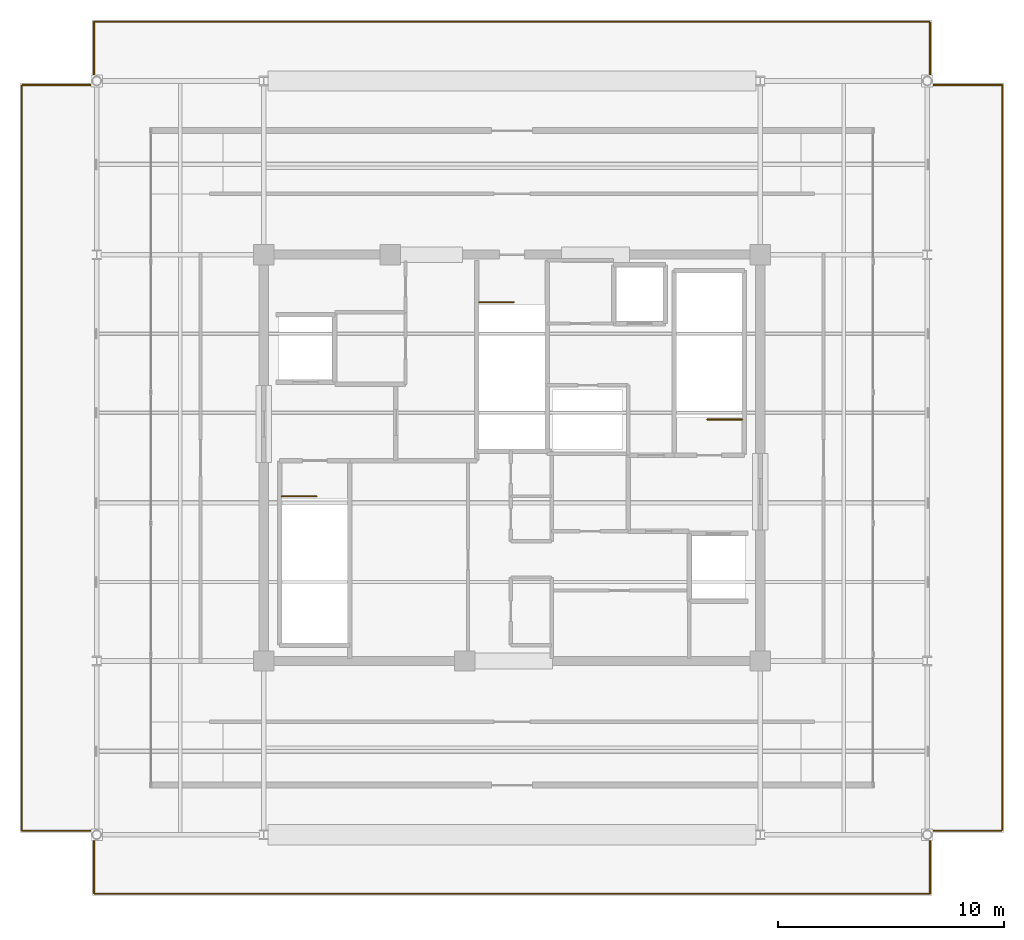
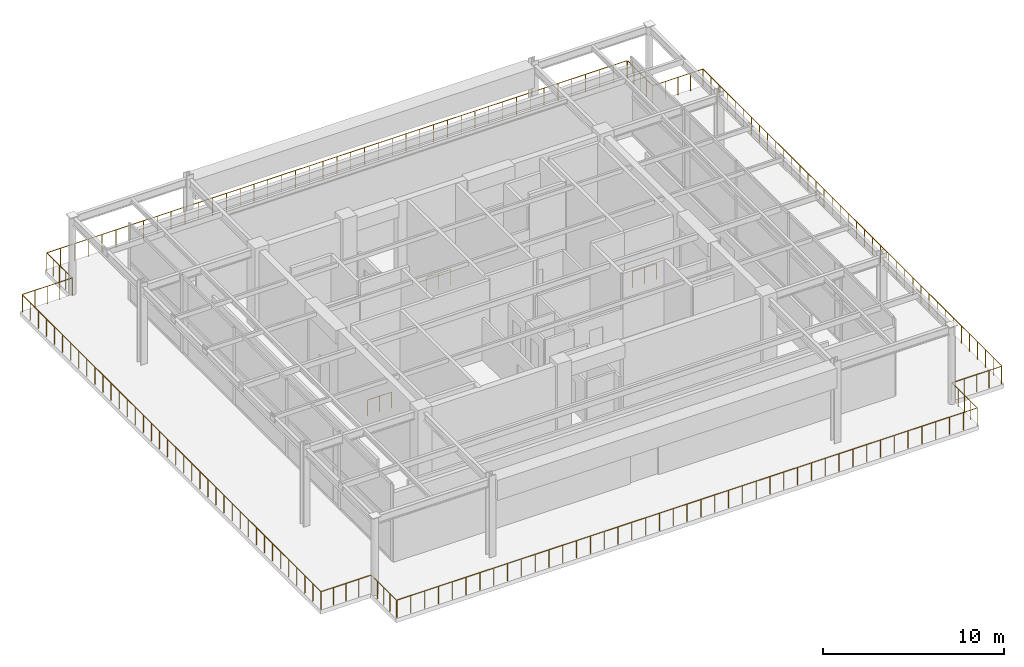
# One storey, part 16 of 16: 7 railings.
"""IFC4 building model written with IfcOpenShell, lengths in metres."""

from ifc_helpers import new_model, si_unit, direction, frame, origin, origin_2d, place, context, subcontext, project, spatial, circle, extrude, material, type_object, element, save


model = new_model("IFC4")

# Units and contexts
model_context = context("Model", 3, precision=1e-05, world=origin(), true_north=direction((0.0, 1.0)))
body_context = subcontext(model_context, "Body", "Model", "MODEL_VIEW")
ifc_project = project(units=[si_unit("LENGTHUNIT", "METRE"), si_unit("AREAUNIT", "SQUARE_METRE"), si_unit("VOLUMEUNIT", "CUBIC_METRE"), si_unit("PLANEANGLEUNIT", "RADIAN"), si_unit("MASSUNIT", "GRAM", prefix="KILO")], contexts=[model_context])

# Site, building, storey
site_placement = place(None, origin())
site = spatial("IfcSite", under=ifc_project, at=site_placement, CompositionType="ELEMENT")
building_placement = place(site_placement, origin())
building = spatial("IfcBuilding", under=site, at=building_placement, Name="Kovane Verandah Tower", CompositionType="ELEMENT")
storey_placement = place(building_placement, frame((0.0, 0.0, 354.300048828125)))
storey = spatial("IfcBuildingStorey", under=building, at=storey_placement, Name="L82", CompositionType="ELEMENT", Elevation=354.300048828125)

# Railings
ifc_material_1 = material(Name="Pale-Champagne Stainless Steel and Glass Perimeter Guard", Category="steel")
railing_type_1 = type_object("IfcRailingType", Name="RL-GDN-1200", PredefinedType="GUARDRAIL", material=ifc_material_1)
railing_1_placement = place(storey_placement, frame((21.510009765625, 8.179931640625, 0.0)))
element("IfcRailing", 1, at=railing_1_placement, inside=storey, type_object=railing_type_1, Name="L82 Open Observation Deck Perimeter Balustrade S", PredefinedType="GUARDRAIL", context=body_context, shape_type="SweptSolid", body=[
    extrude(circle(Radius=0.02392578125, at=origin_2d()), frame((0.0, 0.0, 1.17578125), z_axis=(1.0, 0.0, 0.0), x_axis=(0.0, 1.0, 0.0)), (0.0, 0.0, 1.0), 37.010009765625),
    extrude(circle(Radius=0.02392578125, at=origin_2d()), frame((37.010009765625, 0.0, 1.17578125), z_axis=(0.0, 1.0, 0.0), x_axis=(-1.0, 0.0, 0.0)), (0.0, 0.0, 1.0), 2.800048828125),
    extrude(circle(Radius=0.02392578125, at=origin_2d()), frame((37.010009765625, 2.800048828125, 1.17578125), z_axis=(1.0, 0.0, 0.0), x_axis=(0.0, 1.0, 0.0)), (0.0, 0.0, 1.0), 3.169921875),
    extrude(circle(Radius=0.02099609375, at=origin_2d()), origin(), (0.0, 0.0, 1.0), 1.15185546875),
    extrude(circle(Radius=0.02099609375, at=origin_2d()), frame((0.881103515625, 0.0, 0.0)), (0.0, 0.0, 1.0), 1.15185546875),
    extrude(circle(Radius=0.02099609375, at=origin_2d()), frame((1.762451171875, 0.0, 0.0)), (0.0, 0.0, 1.0), 1.15185546875),
    extrude(circle(Radius=0.02099609375, at=origin_2d()), frame((2.6435546875, 0.0, 0.0)), (0.0, 0.0, 1.0), 1.15185546875),
    extrude(circle(Radius=0.02099609375, at=origin_2d()), frame((3.524658203125, 0.0, 0.0)), (0.0, 0.0, 1.0), 1.15185546875),
    extrude(circle(Radius=0.02099609375, at=origin_2d()), frame((4.406005859375, 0.0, 0.0)), (0.0, 0.0, 1.0), 1.15185546875),
    extrude(circle(Radius=0.02099609375, at=origin_2d()), frame((5.287109375, 0.0, 0.0)), (0.0, 0.0, 1.0), 1.15185546875),
    extrude(circle(Radius=0.02099609375, at=origin_2d()), frame((6.16845703125, 0.0, 0.0)), (0.0, 0.0, 1.0), 1.15185546875),
    extrude(circle(Radius=0.02099609375, at=origin_2d()), frame((7.049560546875, 0.0, 0.0)), (0.0, 0.0, 1.0), 1.15185546875),
    extrude(circle(Radius=0.02099609375, at=origin_2d()), frame((7.9306640625, 0.0, 0.0)), (0.0, 0.0, 1.0), 1.15185546875),
    extrude(circle(Radius=0.02099609375, at=origin_2d()), frame((8.81201171875, 0.0, 0.0)), (0.0, 0.0, 1.0), 1.15185546875),
    extrude(circle(Radius=0.02099609375, at=origin_2d()), frame((9.693115234375, 0.0, 0.0)), (0.0, 0.0, 1.0), 1.15185546875),
    extrude(circle(Radius=0.02099609375, at=origin_2d()), frame((10.57421875, 0.0, 0.0)), (0.0, 0.0, 1.0), 1.15185546875),
    extrude(circle(Radius=0.02099609375, at=origin_2d()), frame((11.45556640625, 0.0, 0.0)), (0.0, 0.0, 1.0), 1.15185546875),
    extrude(circle(Radius=0.02099609375, at=origin_2d()), frame((12.336669921875, 0.0, 0.0)), (0.0, 0.0, 1.0), 1.15185546875),
    extrude(circle(Radius=0.02099609375, at=origin_2d()), frame((13.2177734375, 0.0, 0.0)), (0.0, 0.0, 1.0), 1.15185546875),
    extrude(circle(Radius=0.02099609375, at=origin_2d()), frame((14.09912109375, 0.0, 0.0)), (0.0, 0.0, 1.0), 1.15185546875),
    extrude(circle(Radius=0.02099609375, at=origin_2d()), frame((14.980224609375, 0.0, 0.0)), (0.0, 0.0, 1.0), 1.15185546875),
    extrude(circle(Radius=0.02099609375, at=origin_2d()), frame((15.861328125, 0.0, 0.0)), (0.0, 0.0, 1.0), 1.15185546875),
    extrude(circle(Radius=0.02099609375, at=origin_2d()), frame((16.74267578125, 0.0, 0.0)), (0.0, 0.0, 1.0), 1.15185546875),
    extrude(circle(Radius=0.02099609375, at=origin_2d()), frame((17.623779296875, 0.0, 0.0)), (0.0, 0.0, 1.0), 1.15185546875),
    extrude(circle(Radius=0.02099609375, at=origin_2d()), frame((18.5048828125, 0.0, 0.0)), (0.0, 0.0, 1.0), 1.15185546875),
    extrude(circle(Radius=0.02099609375, at=origin_2d()), frame((19.38623046875, 0.0, 0.0)), (0.0, 0.0, 1.0), 1.15185546875),
    extrude(circle(Radius=0.02099609375, at=origin_2d()), frame((20.267333984375, 0.0, 0.0)), (0.0, 0.0, 1.0), 1.15185546875),
    extrude(circle(Radius=0.02099609375, at=origin_2d()), frame((21.148681640625, 0.0, 0.0)), (0.0, 0.0, 1.0), 1.15185546875),
    extrude(circle(Radius=0.02099609375, at=origin_2d()), frame((22.02978515625, 0.0, 0.0)), (0.0, 0.0, 1.0), 1.15185546875),
    extrude(circle(Radius=0.02099609375, at=origin_2d()), frame((22.910888671875, 0.0, 0.0)), (0.0, 0.0, 1.0), 1.15185546875),
    extrude(circle(Radius=0.02099609375, at=origin_2d()), frame((23.792236328125, 0.0, 0.0)), (0.0, 0.0, 1.0), 1.15185546875),
    extrude(circle(Radius=0.02099609375, at=origin_2d()), frame((24.67333984375, 0.0, 0.0)), (0.0, 0.0, 1.0), 1.15185546875),
    extrude(circle(Radius=0.02099609375, at=origin_2d()), frame((25.554443359375, 0.0, 0.0)), (0.0, 0.0, 1.0), 1.15185546875),
    extrude(circle(Radius=0.02099609375, at=origin_2d()), frame((26.435791015625, 0.0, 0.0)), (0.0, 0.0, 1.0), 1.15185546875),
    extrude(circle(Radius=0.02099609375, at=origin_2d()), frame((27.31689453125, 0.0, 0.0)), (0.0, 0.0, 1.0), 1.15185546875),
    extrude(circle(Radius=0.02099609375, at=origin_2d()), frame((28.197998046875, 0.0, 0.0)), (0.0, 0.0, 1.0), 1.15185546875),
    extrude(circle(Radius=0.02099609375, at=origin_2d()), frame((29.079345703125, 0.0, 0.0)), (0.0, 0.0, 1.0), 1.15185546875),
    extrude(circle(Radius=0.02099609375, at=origin_2d()), frame((29.96044921875, 0.0, 0.0)), (0.0, 0.0, 1.0), 1.15185546875),
    extrude(circle(Radius=0.02099609375, at=origin_2d()), frame((30.841796875, 0.0, 0.0)), (0.0, 0.0, 1.0), 1.15185546875),
    extrude(circle(Radius=0.02099609375, at=origin_2d()), frame((31.722900390625, 0.0, 0.0)), (0.0, 0.0, 1.0), 1.15185546875),
    extrude(circle(Radius=0.02099609375, at=origin_2d()), frame((32.60400390625, 0.0, 0.0)), (0.0, 0.0, 1.0), 1.15185546875),
    extrude(circle(Radius=0.02099609375, at=origin_2d()), frame((33.4853515625, 0.0, 0.0)), (0.0, 0.0, 1.0), 1.15185546875),
    extrude(circle(Radius=0.02099609375, at=origin_2d()), frame((34.366455078125, 0.0, 0.0)), (0.0, 0.0, 1.0), 1.15185546875),
    extrude(circle(Radius=0.02099609375, at=origin_2d()), frame((35.24755859375, 0.0, 0.0)), (0.0, 0.0, 1.0), 1.15185546875),
    extrude(circle(Radius=0.02099609375, at=origin_2d()), frame((36.12890625, 0.0, 0.0)), (0.0, 0.0, 1.0), 1.15185546875),
    extrude(circle(Radius=0.02099609375, at=origin_2d()), frame((37.010009765625, 0.0, 0.0)), (0.0, 0.0, 1.0), 1.15185546875),
    extrude(circle(Radius=0.02099609375, at=origin_2d()), frame((37.010009765625, 0.699951171875, 0.0)), (0.0, 0.0, 1.0), 1.15185546875),
    extrude(circle(Radius=0.02099609375, at=origin_2d()), frame((37.010009765625, 1.39990234375, 0.0)), (0.0, 0.0, 1.0), 1.15185546875),
    extrude(circle(Radius=0.02099609375, at=origin_2d()), frame((37.010009765625, 2.10009765625, 0.0)), (0.0, 0.0, 1.0), 1.15185546875),
    extrude(circle(Radius=0.02099609375, at=origin_2d()), frame((37.010009765625, 2.800048828125, 0.0)), (0.0, 0.0, 1.0), 1.15185546875),
    extrude(circle(Radius=0.02099609375, at=origin_2d()), frame((37.802490234375, 2.800048828125, 0.0)), (0.0, 0.0, 1.0), 1.15185546875),
    extrude(circle(Radius=0.02099609375, at=origin_2d()), frame((38.594970703125, 2.800048828125, 0.0)), (0.0, 0.0, 1.0), 1.15185546875),
    extrude(circle(Radius=0.02099609375, at=origin_2d()), frame((39.387451171875, 2.800048828125, 0.0)), (0.0, 0.0, 1.0), 1.15185546875),
    extrude(circle(Radius=0.02099609375, at=origin_2d()), frame((40.179931640625, 2.800048828125, 0.0)), (0.0, 0.0, 1.0), 1.15185546875),
])
railing_2_placement = place(storey_placement, frame((61.719970703125, 11.010009765625, 0.0)))
element("IfcRailing", 2, at=railing_2_placement, inside=storey, type_object=railing_type_1, Name="L82 Open Observation Deck Perimeter Balustrade E", PredefinedType="GUARDRAIL", context=body_context, shape_type="SweptSolid", body=[
    extrude(circle(Radius=0.02392578125, at=origin_2d()), frame((0.0, 0.0, 1.17578125), z_axis=(0.0, 1.0, 0.0), x_axis=(-1.0, 0.0, 0.0)), (0.0, 0.0, 1.0), 33.010009765625),
    extrude(circle(Radius=0.02392578125, at=origin_2d()), frame((0.0, 33.010009765625, 1.17578125), z_axis=(-1.0, 0.0, 0.0), x_axis=(0.0, -1.0, 0.0)), (0.0, 0.0, 1.0), 3.199951171875),
    extrude(circle(Radius=0.02392578125, at=origin_2d()), frame((-3.199951171875, 33.010009765625, 1.17578125), z_axis=(0.0, 1.0, 0.0), x_axis=(-1.0, 0.0, 0.0)), (0.0, 0.0, 1.0), 2.77001953125),
    extrude(circle(Radius=0.02099609375, at=origin_2d()), origin(), (0.0, 0.0, 1.0), 1.15185546875),
    extrude(circle(Radius=0.02099609375, at=origin_2d()), frame((0.0, 0.89208984375, 0.0)), (0.0, 0.0, 1.0), 1.15185546875),
    extrude(circle(Radius=0.02099609375, at=origin_2d()), frame((0.0, 1.784423828125, 0.0)), (0.0, 0.0, 1.0), 1.15185546875),
    extrude(circle(Radius=0.02099609375, at=origin_2d()), frame((0.0, 2.676513671875, 0.0)), (0.0, 0.0, 1.0), 1.15185546875),
    extrude(circle(Radius=0.02099609375, at=origin_2d()), frame((0.0, 3.568603515625, 0.0)), (0.0, 0.0, 1.0), 1.15185546875),
    extrude(circle(Radius=0.02099609375, at=origin_2d()), frame((0.0, 4.460693359375, 0.0)), (0.0, 0.0, 1.0), 1.15185546875),
    extrude(circle(Radius=0.02099609375, at=origin_2d()), frame((0.0, 5.35302734375, 0.0)), (0.0, 0.0, 1.0), 1.15185546875),
    extrude(circle(Radius=0.02099609375, at=origin_2d()), frame((0.0, 6.2451171875, 0.0)), (0.0, 0.0, 1.0), 1.15185546875),
    extrude(circle(Radius=0.02099609375, at=origin_2d()), frame((0.0, 7.13720703125, 0.0)), (0.0, 0.0, 1.0), 1.15185546875),
    extrude(circle(Radius=0.02099609375, at=origin_2d()), frame((0.0, 8.029541015625, 0.0)), (0.0, 0.0, 1.0), 1.15185546875),
    extrude(circle(Radius=0.02099609375, at=origin_2d()), frame((0.0, 8.921630859375, 0.0)), (0.0, 0.0, 1.0), 1.15185546875),
    extrude(circle(Radius=0.02099609375, at=origin_2d()), frame((0.0, 9.813720703125, 0.0)), (0.0, 0.0, 1.0), 1.15185546875),
    extrude(circle(Radius=0.02099609375, at=origin_2d()), frame((0.0, 10.7060546875, 0.0)), (0.0, 0.0, 1.0), 1.15185546875),
    extrude(circle(Radius=0.02099609375, at=origin_2d()), frame((0.0, 11.59814453125, 0.0)), (0.0, 0.0, 1.0), 1.15185546875),
    extrude(circle(Radius=0.02099609375, at=origin_2d()), frame((0.0, 12.490234375, 0.0)), (0.0, 0.0, 1.0), 1.15185546875),
    extrude(circle(Radius=0.02099609375, at=origin_2d()), frame((0.0, 13.38232421875, 0.0)), (0.0, 0.0, 1.0), 1.15185546875),
    extrude(circle(Radius=0.02099609375, at=origin_2d()), frame((0.0, 14.274658203125, 0.0)), (0.0, 0.0, 1.0), 1.15185546875),
    extrude(circle(Radius=0.02099609375, at=origin_2d()), frame((0.0, 15.166748046875, 0.0)), (0.0, 0.0, 1.0), 1.15185546875),
    extrude(circle(Radius=0.02099609375, at=origin_2d()), frame((0.0, 16.058837890625, 0.0)), (0.0, 0.0, 1.0), 1.15185546875),
    extrude(circle(Radius=0.02099609375, at=origin_2d()), frame((0.0, 16.951171875, 0.0)), (0.0, 0.0, 1.0), 1.15185546875),
    extrude(circle(Radius=0.02099609375, at=origin_2d()), frame((0.0, 17.84326171875, 0.0)), (0.0, 0.0, 1.0), 1.15185546875),
    extrude(circle(Radius=0.02099609375, at=origin_2d()), frame((0.0, 18.7353515625, 0.0)), (0.0, 0.0, 1.0), 1.15185546875),
    extrude(circle(Radius=0.02099609375, at=origin_2d()), frame((0.0, 19.627685546875, 0.0)), (0.0, 0.0, 1.0), 1.15185546875),
    extrude(circle(Radius=0.02099609375, at=origin_2d()), frame((0.0, 20.519775390625, 0.0)), (0.0, 0.0, 1.0), 1.15185546875),
    extrude(circle(Radius=0.02099609375, at=origin_2d()), frame((0.0, 21.411865234375, 0.0)), (0.0, 0.0, 1.0), 1.15185546875),
    extrude(circle(Radius=0.02099609375, at=origin_2d()), frame((0.0, 22.303955078125, 0.0)), (0.0, 0.0, 1.0), 1.15185546875),
    extrude(circle(Radius=0.02099609375, at=origin_2d()), frame((0.0, 23.1962890625, 0.0)), (0.0, 0.0, 1.0), 1.15185546875),
    extrude(circle(Radius=0.02099609375, at=origin_2d()), frame((0.0, 24.08837890625, 0.0)), (0.0, 0.0, 1.0), 1.15185546875),
    extrude(circle(Radius=0.02099609375, at=origin_2d()), frame((0.0, 24.98046875, 0.0)), (0.0, 0.0, 1.0), 1.15185546875),
    extrude(circle(Radius=0.02099609375, at=origin_2d()), frame((0.0, 25.872802734375, 0.0)), (0.0, 0.0, 1.0), 1.15185546875),
    extrude(circle(Radius=0.02099609375, at=origin_2d()), frame((0.0, 26.764892578125, 0.0)), (0.0, 0.0, 1.0), 1.15185546875),
    extrude(circle(Radius=0.02099609375, at=origin_2d()), frame((0.0, 27.656982421875, 0.0)), (0.0, 0.0, 1.0), 1.15185546875),
    extrude(circle(Radius=0.02099609375, at=origin_2d()), frame((0.0, 28.54931640625, 0.0)), (0.0, 0.0, 1.0), 1.15185546875),
    extrude(circle(Radius=0.02099609375, at=origin_2d()), frame((0.0, 29.44140625, 0.0)), (0.0, 0.0, 1.0), 1.15185546875),
    extrude(circle(Radius=0.02099609375, at=origin_2d()), frame((0.0, 30.33349609375, 0.0)), (0.0, 0.0, 1.0), 1.15185546875),
    extrude(circle(Radius=0.02099609375, at=origin_2d()), frame((0.0, 31.2255859375, 0.0)), (0.0, 0.0, 1.0), 1.15185546875),
    extrude(circle(Radius=0.02099609375, at=origin_2d()), frame((0.0, 32.117919921875, 0.0)), (0.0, 0.0, 1.0), 1.15185546875),
    extrude(circle(Radius=0.02099609375, at=origin_2d()), frame((0.0, 33.010009765625, 0.0)), (0.0, 0.0, 1.0), 1.15185546875),
    extrude(circle(Radius=0.02099609375, at=origin_2d()), frame((-0.800048828125, 33.010009765625, 0.0)), (0.0, 0.0, 1.0), 1.15185546875),
    extrude(circle(Radius=0.02099609375, at=origin_2d()), frame((-1.60009765625, 33.010009765625, 0.0)), (0.0, 0.0, 1.0), 1.15185546875),
    extrude(circle(Radius=0.02099609375, at=origin_2d()), frame((-2.39990234375, 33.010009765625, 0.0)), (0.0, 0.0, 1.0), 1.15185546875),
    extrude(circle(Radius=0.02099609375, at=origin_2d()), frame((-3.199951171875, 33.010009765625, 0.0)), (0.0, 0.0, 1.0), 1.15185546875),
    extrude(circle(Radius=0.02099609375, at=origin_2d()), frame((-3.199951171875, 33.70263671875, 0.0)), (0.0, 0.0, 1.0), 1.15185546875),
    extrude(circle(Radius=0.02099609375, at=origin_2d()), frame((-3.199951171875, 34.39501953125, 0.0)), (0.0, 0.0, 1.0), 1.15185546875),
    extrude(circle(Radius=0.02099609375, at=origin_2d()), frame((-3.199951171875, 35.08740234375, 0.0)), (0.0, 0.0, 1.0), 1.15185546875),
    extrude(circle(Radius=0.02099609375, at=origin_2d()), frame((-3.199951171875, 35.780029296875, 0.0)), (0.0, 0.0, 1.0), 1.15185546875),
])
railing_3_placement = place(storey_placement, frame((58.489990234375, 46.820068359375, 0.0)))
element("IfcRailing", 3, at=railing_3_placement, inside=storey, type_object=railing_type_1, Name="L82 Open Observation Deck Perimeter Balustrade N", PredefinedType="GUARDRAIL", context=body_context, shape_type="SweptSolid", body=[
    extrude(circle(Radius=0.02392578125, at=origin_2d()), frame((0.0, 0.0, 1.17578125), z_axis=(-1.0, 0.0, 0.0), x_axis=(0.0, -1.0, 0.0)), (0.0, 0.0, 1.0), 37.010009765625),
    extrude(circle(Radius=0.02392578125, at=origin_2d()), frame((-37.010009765625, 0.0, 1.17578125), z_axis=(0.0, -1.0, 0.0), x_axis=(1.0, 0.0, 0.0)), (0.0, 0.0, 1.0), 2.800048828125),
    extrude(circle(Radius=0.02392578125, at=origin_2d()), frame((-37.010009765625, -2.800048828125, 1.17578125), z_axis=(-1.0, 0.0, 0.0), x_axis=(0.0, -1.0, 0.0)), (0.0, 0.0, 1.0), 3.169921875),
    extrude(circle(Radius=0.02099609375, at=origin_2d()), origin(), (0.0, 0.0, 1.0), 1.15185546875),
    extrude(circle(Radius=0.02099609375, at=origin_2d()), frame((-0.881103515625, 0.0, 0.0)), (0.0, 0.0, 1.0), 1.15185546875),
    extrude(circle(Radius=0.02099609375, at=origin_2d()), frame((-1.762451171875, 0.0, 0.0)), (0.0, 0.0, 1.0), 1.15185546875),
    extrude(circle(Radius=0.02099609375, at=origin_2d()), frame((-2.6435546875, 0.0, 0.0)), (0.0, 0.0, 1.0), 1.15185546875),
    extrude(circle(Radius=0.02099609375, at=origin_2d()), frame((-3.524658203125, 0.0, 0.0)), (0.0, 0.0, 1.0), 1.15185546875),
    extrude(circle(Radius=0.02099609375, at=origin_2d()), frame((-4.406005859375, 0.0, 0.0)), (0.0, 0.0, 1.0), 1.15185546875),
    extrude(circle(Radius=0.02099609375, at=origin_2d()), frame((-5.287109375, 0.0, 0.0)), (0.0, 0.0, 1.0), 1.15185546875),
    extrude(circle(Radius=0.02099609375, at=origin_2d()), frame((-6.16845703125, 0.0, 0.0)), (0.0, 0.0, 1.0), 1.15185546875),
    extrude(circle(Radius=0.02099609375, at=origin_2d()), frame((-7.049560546875, 0.0, 0.0)), (0.0, 0.0, 1.0), 1.15185546875),
    extrude(circle(Radius=0.02099609375, at=origin_2d()), frame((-7.9306640625, 0.0, 0.0)), (0.0, 0.0, 1.0), 1.15185546875),
    extrude(circle(Radius=0.02099609375, at=origin_2d()), frame((-8.81201171875, 0.0, 0.0)), (0.0, 0.0, 1.0), 1.15185546875),
    extrude(circle(Radius=0.02099609375, at=origin_2d()), frame((-9.693115234375, 0.0, 0.0)), (0.0, 0.0, 1.0), 1.15185546875),
    extrude(circle(Radius=0.02099609375, at=origin_2d()), frame((-10.57421875, 0.0, 0.0)), (0.0, 0.0, 1.0), 1.15185546875),
    extrude(circle(Radius=0.02099609375, at=origin_2d()), frame((-11.45556640625, 0.0, 0.0)), (0.0, 0.0, 1.0), 1.15185546875),
    extrude(circle(Radius=0.02099609375, at=origin_2d()), frame((-12.336669921875, 0.0, 0.0)), (0.0, 0.0, 1.0), 1.15185546875),
    extrude(circle(Radius=0.02099609375, at=origin_2d()), frame((-13.2177734375, 0.0, 0.0)), (0.0, 0.0, 1.0), 1.15185546875),
    extrude(circle(Radius=0.02099609375, at=origin_2d()), frame((-14.09912109375, 0.0, 0.0)), (0.0, 0.0, 1.0), 1.15185546875),
    extrude(circle(Radius=0.02099609375, at=origin_2d()), frame((-14.980224609375, 0.0, 0.0)), (0.0, 0.0, 1.0), 1.15185546875),
    extrude(circle(Radius=0.02099609375, at=origin_2d()), frame((-15.861328125, 0.0, 0.0)), (0.0, 0.0, 1.0), 1.15185546875),
    extrude(circle(Radius=0.02099609375, at=origin_2d()), frame((-16.74267578125, 0.0, 0.0)), (0.0, 0.0, 1.0), 1.15185546875),
    extrude(circle(Radius=0.02099609375, at=origin_2d()), frame((-17.623779296875, 0.0, 0.0)), (0.0, 0.0, 1.0), 1.15185546875),
    extrude(circle(Radius=0.02099609375, at=origin_2d()), frame((-18.5048828125, 0.0, 0.0)), (0.0, 0.0, 1.0), 1.15185546875),
    extrude(circle(Radius=0.02099609375, at=origin_2d()), frame((-19.38623046875, 0.0, 0.0)), (0.0, 0.0, 1.0), 1.15185546875),
    extrude(circle(Radius=0.02099609375, at=origin_2d()), frame((-20.267333984375, 0.0, 0.0)), (0.0, 0.0, 1.0), 1.15185546875),
    extrude(circle(Radius=0.02099609375, at=origin_2d()), frame((-21.148681640625, 0.0, 0.0)), (0.0, 0.0, 1.0), 1.15185546875),
    extrude(circle(Radius=0.02099609375, at=origin_2d()), frame((-22.02978515625, 0.0, 0.0)), (0.0, 0.0, 1.0), 1.15185546875),
    extrude(circle(Radius=0.02099609375, at=origin_2d()), frame((-22.910888671875, 0.0, 0.0)), (0.0, 0.0, 1.0), 1.15185546875),
    extrude(circle(Radius=0.02099609375, at=origin_2d()), frame((-23.792236328125, 0.0, 0.0)), (0.0, 0.0, 1.0), 1.15185546875),
    extrude(circle(Radius=0.02099609375, at=origin_2d()), frame((-24.67333984375, 0.0, 0.0)), (0.0, 0.0, 1.0), 1.15185546875),
    extrude(circle(Radius=0.02099609375, at=origin_2d()), frame((-25.554443359375, 0.0, 0.0)), (0.0, 0.0, 1.0), 1.15185546875),
    extrude(circle(Radius=0.02099609375, at=origin_2d()), frame((-26.435791015625, 0.0, 0.0)), (0.0, 0.0, 1.0), 1.15185546875),
    extrude(circle(Radius=0.02099609375, at=origin_2d()), frame((-27.31689453125, 0.0, 0.0)), (0.0, 0.0, 1.0), 1.15185546875),
    extrude(circle(Radius=0.02099609375, at=origin_2d()), frame((-28.197998046875, 0.0, 0.0)), (0.0, 0.0, 1.0), 1.15185546875),
    extrude(circle(Radius=0.02099609375, at=origin_2d()), frame((-29.079345703125, 0.0, 0.0)), (0.0, 0.0, 1.0), 1.15185546875),
    extrude(circle(Radius=0.02099609375, at=origin_2d()), frame((-29.96044921875, 0.0, 0.0)), (0.0, 0.0, 1.0), 1.15185546875),
    extrude(circle(Radius=0.02099609375, at=origin_2d()), frame((-30.841796875, 0.0, 0.0)), (0.0, 0.0, 1.0), 1.15185546875),
    extrude(circle(Radius=0.02099609375, at=origin_2d()), frame((-31.722900390625, 0.0, 0.0)), (0.0, 0.0, 1.0), 1.15185546875),
    extrude(circle(Radius=0.02099609375, at=origin_2d()), frame((-32.60400390625, 0.0, 0.0)), (0.0, 0.0, 1.0), 1.15185546875),
    extrude(circle(Radius=0.02099609375, at=origin_2d()), frame((-33.4853515625, 0.0, 0.0)), (0.0, 0.0, 1.0), 1.15185546875),
    extrude(circle(Radius=0.02099609375, at=origin_2d()), frame((-34.366455078125, 0.0, 0.0)), (0.0, 0.0, 1.0), 1.15185546875),
    extrude(circle(Radius=0.02099609375, at=origin_2d()), frame((-35.24755859375, 0.0, 0.0)), (0.0, 0.0, 1.0), 1.15185546875),
    extrude(circle(Radius=0.02099609375, at=origin_2d()), frame((-36.12890625, 0.0, 0.0)), (0.0, 0.0, 1.0), 1.15185546875),
    extrude(circle(Radius=0.02099609375, at=origin_2d()), frame((-37.010009765625, 0.0, 0.0)), (0.0, 0.0, 1.0), 1.15185546875),
    extrude(circle(Radius=0.02099609375, at=origin_2d()), frame((-37.010009765625, -0.699951171875, 0.0)), (0.0, 0.0, 1.0), 1.15185546875),
    extrude(circle(Radius=0.02099609375, at=origin_2d()), frame((-37.010009765625, -1.39990234375, 0.0)), (0.0, 0.0, 1.0), 1.15185546875),
    extrude(circle(Radius=0.02099609375, at=origin_2d()), frame((-37.010009765625, -2.10009765625, 0.0)), (0.0, 0.0, 1.0), 1.15185546875),
    extrude(circle(Radius=0.02099609375, at=origin_2d()), frame((-37.010009765625, -2.800048828125, 0.0)), (0.0, 0.0, 1.0), 1.15185546875),
    extrude(circle(Radius=0.02099609375, at=origin_2d()), frame((-37.802490234375, -2.800048828125, 0.0)), (0.0, 0.0, 1.0), 1.15185546875),
    extrude(circle(Radius=0.02099609375, at=origin_2d()), frame((-38.594970703125, -2.800048828125, 0.0)), (0.0, 0.0, 1.0), 1.15185546875),
    extrude(circle(Radius=0.02099609375, at=origin_2d()), frame((-39.387451171875, -2.800048828125, 0.0)), (0.0, 0.0, 1.0), 1.15185546875),
    extrude(circle(Radius=0.02099609375, at=origin_2d()), frame((-40.179931640625, -2.800048828125, 0.0)), (0.0, 0.0, 1.0), 1.15185546875),
])
railing_4_placement = place(storey_placement, frame((18.280029296875, 43.989990234375, 0.0)))
element("IfcRailing", 4, at=railing_4_placement, inside=storey, type_object=railing_type_1, Name="L82 Open Observation Deck Perimeter Balustrade W", PredefinedType="GUARDRAIL", context=body_context, shape_type="SweptSolid", body=[
    extrude(circle(Radius=0.02392578125, at=origin_2d()), frame((0.0, 0.0, 1.17578125), z_axis=(0.0, -1.0, 0.0), x_axis=(1.0, 0.0, 0.0)), (0.0, 0.0, 1.0), 33.010009765625),
    extrude(circle(Radius=0.02392578125, at=origin_2d()), frame((0.0, -33.010009765625, 1.17578125), z_axis=(1.0, 0.0, 0.0), x_axis=(0.0, 1.0, 0.0)), (0.0, 0.0, 1.0), 3.199951171875),
    extrude(circle(Radius=0.02392578125, at=origin_2d()), frame((3.199951171875, -33.010009765625, 1.17578125), z_axis=(0.0, -1.0, 0.0), x_axis=(1.0, 0.0, 0.0)), (0.0, 0.0, 1.0), 2.77001953125),
    extrude(circle(Radius=0.02099609375, at=origin_2d()), origin(), (0.0, 0.0, 1.0), 1.15185546875),
    extrude(circle(Radius=0.02099609375, at=origin_2d()), frame((0.0, -0.89208984375, 0.0)), (0.0, 0.0, 1.0), 1.15185546875),
    extrude(circle(Radius=0.02099609375, at=origin_2d()), frame((0.0, -1.784423828125, 0.0)), (0.0, 0.0, 1.0), 1.15185546875),
    extrude(circle(Radius=0.02099609375, at=origin_2d()), frame((0.0, -2.676513671875, 0.0)), (0.0, 0.0, 1.0), 1.15185546875),
    extrude(circle(Radius=0.02099609375, at=origin_2d()), frame((0.0, -3.568603515625, 0.0)), (0.0, 0.0, 1.0), 1.15185546875),
    extrude(circle(Radius=0.02099609375, at=origin_2d()), frame((0.0, -4.460693359375, 0.0)), (0.0, 0.0, 1.0), 1.15185546875),
    extrude(circle(Radius=0.02099609375, at=origin_2d()), frame((0.0, -5.35302734375, 0.0)), (0.0, 0.0, 1.0), 1.15185546875),
    extrude(circle(Radius=0.02099609375, at=origin_2d()), frame((0.0, -6.2451171875, 0.0)), (0.0, 0.0, 1.0), 1.15185546875),
    extrude(circle(Radius=0.02099609375, at=origin_2d()), frame((0.0, -7.13720703125, 0.0)), (0.0, 0.0, 1.0), 1.15185546875),
    extrude(circle(Radius=0.02099609375, at=origin_2d()), frame((0.0, -8.029541015625, 0.0)), (0.0, 0.0, 1.0), 1.15185546875),
    extrude(circle(Radius=0.02099609375, at=origin_2d()), frame((0.0, -8.921630859375, 0.0)), (0.0, 0.0, 1.0), 1.15185546875),
    extrude(circle(Radius=0.02099609375, at=origin_2d()), frame((0.0, -9.813720703125, 0.0)), (0.0, 0.0, 1.0), 1.15185546875),
    extrude(circle(Radius=0.02099609375, at=origin_2d()), frame((0.0, -10.7060546875, 0.0)), (0.0, 0.0, 1.0), 1.15185546875),
    extrude(circle(Radius=0.02099609375, at=origin_2d()), frame((0.0, -11.59814453125, 0.0)), (0.0, 0.0, 1.0), 1.15185546875),
    extrude(circle(Radius=0.02099609375, at=origin_2d()), frame((0.0, -12.490234375, 0.0)), (0.0, 0.0, 1.0), 1.15185546875),
    extrude(circle(Radius=0.02099609375, at=origin_2d()), frame((0.0, -13.38232421875, 0.0)), (0.0, 0.0, 1.0), 1.15185546875),
    extrude(circle(Radius=0.02099609375, at=origin_2d()), frame((0.0, -14.274658203125, 0.0)), (0.0, 0.0, 1.0), 1.15185546875),
    extrude(circle(Radius=0.02099609375, at=origin_2d()), frame((0.0, -15.166748046875, 0.0)), (0.0, 0.0, 1.0), 1.15185546875),
    extrude(circle(Radius=0.02099609375, at=origin_2d()), frame((0.0, -16.058837890625, 0.0)), (0.0, 0.0, 1.0), 1.15185546875),
    extrude(circle(Radius=0.02099609375, at=origin_2d()), frame((0.0, -16.951171875, 0.0)), (0.0, 0.0, 1.0), 1.15185546875),
    extrude(circle(Radius=0.02099609375, at=origin_2d()), frame((0.0, -17.84326171875, 0.0)), (0.0, 0.0, 1.0), 1.15185546875),
    extrude(circle(Radius=0.02099609375, at=origin_2d()), frame((0.0, -18.7353515625, 0.0)), (0.0, 0.0, 1.0), 1.15185546875),
    extrude(circle(Radius=0.02099609375, at=origin_2d()), frame((0.0, -19.627685546875, 0.0)), (0.0, 0.0, 1.0), 1.15185546875),
    extrude(circle(Radius=0.02099609375, at=origin_2d()), frame((0.0, -20.519775390625, 0.0)), (0.0, 0.0, 1.0), 1.15185546875),
    extrude(circle(Radius=0.02099609375, at=origin_2d()), frame((0.0, -21.411865234375, 0.0)), (0.0, 0.0, 1.0), 1.15185546875),
    extrude(circle(Radius=0.02099609375, at=origin_2d()), frame((0.0, -22.303955078125, 0.0)), (0.0, 0.0, 1.0), 1.15185546875),
    extrude(circle(Radius=0.02099609375, at=origin_2d()), frame((0.0, -23.1962890625, 0.0)), (0.0, 0.0, 1.0), 1.15185546875),
    extrude(circle(Radius=0.02099609375, at=origin_2d()), frame((0.0, -24.08837890625, 0.0)), (0.0, 0.0, 1.0), 1.15185546875),
    extrude(circle(Radius=0.02099609375, at=origin_2d()), frame((0.0, -24.98046875, 0.0)), (0.0, 0.0, 1.0), 1.15185546875),
    extrude(circle(Radius=0.02099609375, at=origin_2d()), frame((0.0, -25.872802734375, 0.0)), (0.0, 0.0, 1.0), 1.15185546875),
    extrude(circle(Radius=0.02099609375, at=origin_2d()), frame((0.0, -26.764892578125, 0.0)), (0.0, 0.0, 1.0), 1.15185546875),
    extrude(circle(Radius=0.02099609375, at=origin_2d()), frame((0.0, -27.656982421875, 0.0)), (0.0, 0.0, 1.0), 1.15185546875),
    extrude(circle(Radius=0.02099609375, at=origin_2d()), frame((0.0, -28.54931640625, 0.0)), (0.0, 0.0, 1.0), 1.15185546875),
    extrude(circle(Radius=0.02099609375, at=origin_2d()), frame((0.0, -29.44140625, 0.0)), (0.0, 0.0, 1.0), 1.15185546875),
    extrude(circle(Radius=0.02099609375, at=origin_2d()), frame((0.0, -30.33349609375, 0.0)), (0.0, 0.0, 1.0), 1.15185546875),
    extrude(circle(Radius=0.02099609375, at=origin_2d()), frame((0.0, -31.2255859375, 0.0)), (0.0, 0.0, 1.0), 1.15185546875),
    extrude(circle(Radius=0.02099609375, at=origin_2d()), frame((0.0, -32.117919921875, 0.0)), (0.0, 0.0, 1.0), 1.15185546875),
    extrude(circle(Radius=0.02099609375, at=origin_2d()), frame((0.0, -33.010009765625, 0.0)), (0.0, 0.0, 1.0), 1.15185546875),
    extrude(circle(Radius=0.02099609375, at=origin_2d()), frame((0.800048828125, -33.010009765625, 0.0)), (0.0, 0.0, 1.0), 1.15185546875),
    extrude(circle(Radius=0.02099609375, at=origin_2d()), frame((1.60009765625, -33.010009765625, 0.0)), (0.0, 0.0, 1.0), 1.15185546875),
    extrude(circle(Radius=0.02099609375, at=origin_2d()), frame((2.39990234375, -33.010009765625, 0.0)), (0.0, 0.0, 1.0), 1.15185546875),
    extrude(circle(Radius=0.02099609375, at=origin_2d()), frame((3.199951171875, -33.010009765625, 0.0)), (0.0, 0.0, 1.0), 1.15185546875),
    extrude(circle(Radius=0.02099609375, at=origin_2d()), frame((3.199951171875, -33.70263671875, 0.0)), (0.0, 0.0, 1.0), 1.15185546875),
    extrude(circle(Radius=0.02099609375, at=origin_2d()), frame((3.199951171875, -34.39501953125, 0.0)), (0.0, 0.0, 1.0), 1.15185546875),
    extrude(circle(Radius=0.02099609375, at=origin_2d()), frame((3.199951171875, -35.08740234375, 0.0)), (0.0, 0.0, 1.0), 1.15185546875),
    extrude(circle(Radius=0.02099609375, at=origin_2d()), frame((3.199951171875, -35.780029296875, 0.0)), (0.0, 0.0, 1.0), 1.15185546875),
])
ifc_material_2 = material(Name="Painted Steel Stairwell Guardrail", Category="steel")
railing_type_2 = type_object("IfcRailingType", Name="RL-STGUARD-1120", PredefinedType="GUARDRAIL", material=ifc_material_2)
railing_5_placement = place(storey_placement, frame((29.800048828125, 25.800048828125, 0.0)))
element("IfcRailing", 5, at=railing_5_placement, inside=storey, type_object=railing_type_2, Name="L82 ST-01 top well guard 1", PredefinedType="GUARDRAIL", context=body_context, shape_type="SweptSolid", body=[
    extrude(circle(Radius=0.02392578125, at=origin_2d()), frame((0.0, 0.0, 1.076171875), z_axis=(1.0, 0.0, 0.0), x_axis=(0.0, 1.0, 0.0)), (0.0, 0.0, 1.0), 1.5400390625),
    extrude(circle(Radius=0.02099609375, at=origin_2d()), origin(), (0.0, 0.0, 1.0), 1.052001953125),
    extrude(circle(Radius=0.02099609375, at=origin_2d()), frame((0.77001953125, 0.0, 0.0)), (0.0, 0.0, 1.0), 1.052001953125),
    extrude(circle(Radius=0.02099609375, at=origin_2d()), frame((1.5400390625, 0.0, 0.0)), (0.0, 0.0, 1.0), 1.052001953125),
])
railing_6_placement = place(storey_placement, frame((50.199951171875, 29.199951171875, 0.0)))
element("IfcRailing", 6, at=railing_6_placement, inside=storey, type_object=railing_type_2, Name="L82 ST-02 top well guard 1", PredefinedType="GUARDRAIL", context=body_context, shape_type="SweptSolid", body=[
    extrude(circle(Radius=0.02392578125, at=origin_2d()), frame((0.0, 0.0, 1.076171875), z_axis=(-1.0, 0.0, 0.0), x_axis=(0.0, -1.0, 0.0)), (0.0, 0.0, 1.0), 1.5400390625),
    extrude(circle(Radius=0.02099609375, at=origin_2d()), origin(), (0.0, 0.0, 1.0), 1.052001953125),
    extrude(circle(Radius=0.02099609375, at=origin_2d()), frame((-0.77001953125, 0.0, 0.0)), (0.0, 0.0, 1.0), 1.052001953125),
    extrude(circle(Radius=0.02099609375, at=origin_2d()), frame((-1.5400390625, 0.0, 0.0)), (0.0, 0.0, 1.0), 1.052001953125),
])
railing_7_placement = place(storey_placement, frame((38.5400390625, 34.39990234375, 0.0)))
element("IfcRailing", 7, at=railing_7_placement, inside=storey, type_object=railing_type_2, Name="L82 ST-03 top well guard 1", PredefinedType="GUARDRAIL", context=body_context, shape_type="SweptSolid", body=[
    extrude(circle(Radius=0.02392578125, at=origin_2d()), frame((0.0, 0.0, 1.076171875), z_axis=(1.0, 0.0, 0.0), x_axis=(0.0, 1.0, 0.0)), (0.0, 0.0, 1.0), 1.5400390625),
    extrude(circle(Radius=0.02099609375, at=origin_2d()), origin(), (0.0, 0.0, 1.0), 1.052001953125),
    extrude(circle(Radius=0.02099609375, at=origin_2d()), frame((0.77001953125, 0.0, 0.0)), (0.0, 0.0, 1.0), 1.052001953125),
    extrude(circle(Radius=0.02099609375, at=origin_2d()), frame((1.5400390625, 0.0, 0.0)), (0.0, 0.0, 1.0), 1.052001953125),
])

save(model, "model.ifc")
